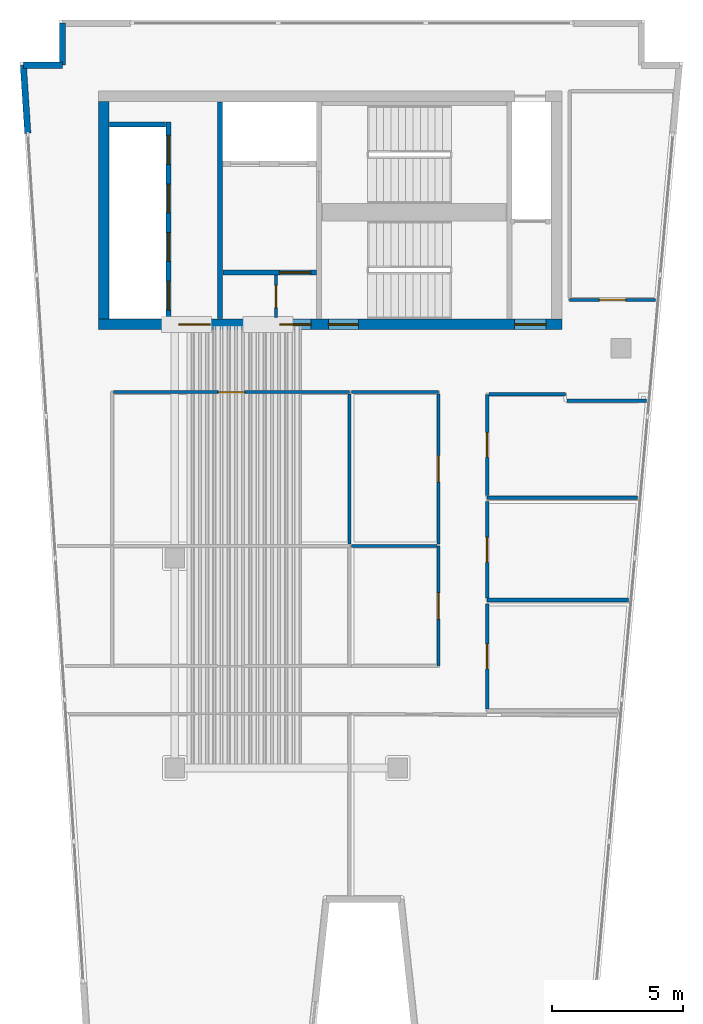
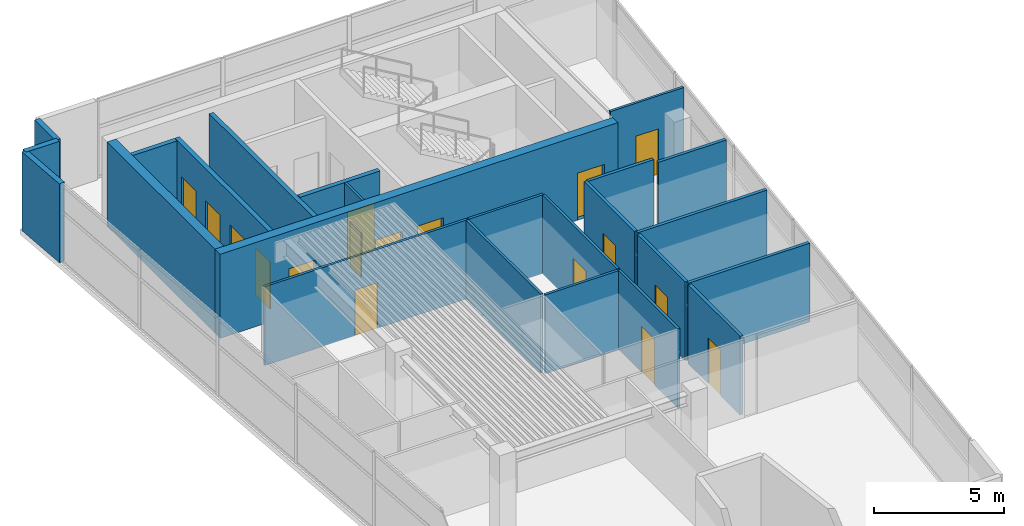
# One storey, part 4 of 7: 24 walls, 17 doors, 17 openings.
"""IFC4 building model written with IfcOpenShell, lengths in metres."""

from ifc_helpers import new_model, si_unit, direction, frame, frame_2d, origin, place, context, subcontext, project, spatial, rectangle, extrude, material, layer, layer_set, type_object, element, fill, save


model = new_model("IFC4")

# Units and contexts
model_context = context("Model", 3, precision=1e-05, world=origin(), true_north=direction((0.0, 1.0)))
body_context = subcontext(model_context, "Body", "Model", "MODEL_VIEW")
ifc_project = project(units=[si_unit("LENGTHUNIT", "METRE"), si_unit("AREAUNIT", "SQUARE_METRE"), si_unit("VOLUMEUNIT", "CUBIC_METRE"), si_unit("PLANEANGLEUNIT", "RADIAN"), si_unit("MASSUNIT", "GRAM", prefix="KILO")], contexts=[model_context])

# Site, building, storey
site_placement = place(None, origin())
site = spatial("IfcSite", under=ifc_project, at=site_placement, CompositionType="ELEMENT")
building_placement = place(site_placement, origin())
building = spatial("IfcBuilding", under=site, at=building_placement, Name="Caeloran Harvest Quay", CompositionType="ELEMENT")
storey_placement = place(building_placement, frame((0.0, 0.0, 312.0)))
storey = spatial("IfcBuildingStorey", under=building, at=storey_placement, Name="L75", CompositionType="ELEMENT", Elevation=312.0)

# Walls
ifc_material_1 = material(Name="Precast concrete C50/60", Category="concrete")
ifc_layer_1 = layer(ifc_material_1, 0.239990234375, Name="Precast concrete C50/60")
ifc_layer_set_1 = layer_set([ifc_layer_1], Name="Precast concrete C50/60")
wall_type_1 = type_object("IfcWallType", Name="ENV-WALL-EW-240", PredefinedType="STANDARD", material=ifc_layer_set_1)
wall_1_placement = place(storey_placement, frame((2.902099609375, 39.185546875, 0.0), z_axis=(0.0, 0.0, 1.0), x_axis=(-0.065166541347, 0.997874401861, 0.0)))
element("IfcWall", 1, at=wall_1_placement, inside=storey, type_object=wall_type_1, Name="L75 Exterior Facade Corner Pier Wall 3B", PredefinedType="STANDARD", context=body_context, shape_type="SweptSolid", body=[
    extrude(rectangle(XDim=2.60009765625, YDim=0.239990234375, at=frame_2d((1.300048828125, 0.0))), origin(), (0.0, 0.0, 1.0), 3.699951171875),
])
wall_2_placement = place(storey_placement, frame((2.732666015625, 41.780029296875, 0.0), z_axis=(0.0, 0.0, 1.0), x_axis=(1.0, 0.0, 0.0)))
element("IfcWall", 2, at=wall_2_placement, inside=storey, type_object=wall_type_1, Name="L75 Exterior Precast Concrete Facade Wall 4", PredefinedType="STANDARD", context=body_context, shape_type="SweptSolid", body=[
    extrude(rectangle(XDim=1.4873046875, YDim=0.239990234375, at=frame_2d((0.74365234375, 0.0))), origin(), (0.0, 0.0, 1.0), 3.699951171875),
])
wall_3_placement = place(storey_placement, frame((4.219970703125, 41.780029296875, 0.0), z_axis=(0.0, 0.0, 1.0), x_axis=(0.0, 1.0, 0.0)))
element("IfcWall", 3, at=wall_3_placement, inside=storey, type_object=wall_type_1, Name="L75 Exterior Precast Concrete Facade Wall 5", PredefinedType="STANDARD", context=body_context, shape_type="SweptSolid", body=[
    extrude(rectangle(XDim=1.599853515625, YDim=0.239990234375, at=frame_2d((0.7998046875, 0.0))), origin(), (0.0, 0.0, 1.0), 3.699951171875),
])

# Wall, opening, door
ifc_material_2 = material(Name="Fire-Resisting Gypsum Core Riser Partition", Category="gypsum")
ifc_layer_2 = layer(ifc_material_2, 0.10009765625, Name="Fire-Resisting Gypsum Core Riser Partition")
ifc_layer_set_2 = layer_set([ifc_layer_2], Name="Fire-Resisting Gypsum Core Riser Partition")
wall_type_2 = type_object("IfcWallType", Name="INT-WALL-PW-100", PredefinedType="PARTITIONING", material=ifc_layer_set_2)
wall_4_placement = place(storey_placement, frame((12.360107421875, 32.159912109375, 0.0), z_axis=(0.0, 0.0, 1.0), x_axis=(0.0, 1.0, 0.0)))
wall_4 = element("IfcWall", 4, at=wall_4_placement, inside=storey, type_object=wall_type_2, Name="L75 Core Store Partition Wall", PredefinedType="PARTITIONING", context=body_context, shape_type="SweptSolid", body=[
    extrude(rectangle(XDim=1.6201171875, YDim=0.10009765625, at=frame_2d((0.81005859375, 0.0))), origin(), (0.0, 0.0, 1.0), 3.699951171875),
])
opening_1_placement = place(wall_4_placement, frame((0.3798828125, 0.0, 0.0)))
opening_1 = element("IfcOpeningElement", 5, at=opening_1_placement, cuts=wall_4, Name="Opening SV-01", PredefinedType="OPENING", context=body_context, shape_type="SweptSolid", body=[
    extrude(rectangle(XDim=0.85009765625, YDim=2.10009765625, at=frame_2d((0.425048828125, 1.050048828125))), frame((0.0, 0.06005859375, 0.0), z_axis=(0.0, -1.0, 0.0), x_axis=(1.0, 0.0, 0.0)), (0.0, 0.0, 1.0), 0.1201171875),
])
ifc_material_3 = material(Name="Galvanized Painted Steel", Category="steel")
door_type_1 = type_object("IfcDoorType", Name="INTDOOR-SV-01", OperationType="NOTDEFINED", PredefinedType="DOOR", material=ifc_material_3)
door_1_placement = place(opening_1_placement, origin())
door_1 = element("IfcDoor", 6, at=door_1_placement, inside=storey, type_object=door_type_1, Name="L75 Core Service Room Access Door", OperationType="SINGLE_SWING_RIGHT", OverallHeight=2.10009765625, OverallWidth=0.85009765625, PredefinedType="DOOR", context=body_context, shape_type="SweptSolid", body=[
    extrude(rectangle(XDim=0.85009765625, YDim=2.10009765625, at=frame_2d((0.425048828125, 1.050048828125))), frame((0.0, 0.02490234375, 0.0), z_axis=(0.0, -1.0, 0.0), x_axis=(1.0, 0.0, 0.0)), (0.0, 0.0, 1.0), 0.050048828125),
])
fill(opening_1, door_1)

ifc_material_4 = material(Name="Single-Stud Acoustic Gypsum Office Partition", Category="gypsum")
ifc_layer_3 = layer(ifc_material_4, 0.112060546875, Name="Single-Stud Acoustic Gypsum Office Partition")
ifc_layer_set_3 = layer_set([ifc_layer_3], Name="Single-Stud Acoustic Gypsum Office Partition")
wall_type_3 = type_object("IfcWallType", Name="INT-WALL-PW-112", PredefinedType="PARTITIONING", material=ifc_layer_set_3)
wall_5_placement = place(storey_placement, frame((26.812744140625, 32.840087890625, 0.0), z_axis=(0.0, 0.0, 1.0), x_axis=(-1.0, 0.0, 0.0)))
wall_5 = element("IfcWall", 7, at=wall_5_placement, inside=storey, type_object=wall_type_3, Name="L75 Bioinformatics and Crop Phenotyping Laboratory Partition Wall", PredefinedType="PARTITIONING", context=body_context, shape_type="SweptSolid", body=[
    extrude(rectangle(XDim=3.272705078125, YDim=0.112060546875, at=frame_2d((1.63623046875, 0.0))), origin(), (0.0, 0.0, 1.0), 3.699951171875),
])
opening_2_placement = place(wall_5_placement, frame((1.136474609375, 0.0, 0.0)))
opening_2 = element("IfcOpeningElement", 8, at=opening_2_placement, cuts=wall_5, Name="Opening ID-01", PredefinedType="OPENING", context=body_context, shape_type="SweptSolid", body=[
    extrude(rectangle(XDim=1.0, YDim=2.14990234375, at=frame_2d((0.5, 1.074951171875))), frame((0.0, 0.06591796875, 0.0), z_axis=(0.0, -1.0, 0.0), x_axis=(1.0, 0.0, 0.0)), (0.0, 0.0, 1.0), 0.132080078125),
])
ifc_material_5 = material(Name="FSC Solid-Core Ash Timber and Acoustic Seal", Category="wood")
door_type_2 = type_object("IfcDoorType", Name="INTDOOR-ID-01", OperationType="NOTDEFINED", PredefinedType="DOOR", material=ifc_material_5)
door_2_placement = place(opening_2_placement, origin())
door_2 = element("IfcDoor", 9, at=door_2_placement, inside=storey, type_object=door_type_2, Name="L75 Bioinformatics and Crop Phenotyping Laboratory Access Door", OperationType="SINGLE_SWING_LEFT", OverallHeight=2.14990234375, OverallWidth=1.0, PredefinedType="DOOR", context=body_context, shape_type="SweptSolid", body=[
    extrude(rectangle(XDim=1.0, YDim=2.14990234375, at=frame_2d((0.5, 1.074951171875))), frame((0.0, 0.02490234375, 0.0), z_axis=(0.0, -1.0, 0.0), x_axis=(1.0, 0.0, 0.0)), (0.0, 0.0, 1.0), 0.050048828125),
])
fill(opening_2, door_2)

wall_6_placement = place(storey_placement, frame((18.550048828125, 23.4599609375, 0.0), z_axis=(0.0, 0.0, 1.0), x_axis=(0.0, -1.0, 0.0)))
wall_6 = element("IfcWall", 10, at=wall_6_placement, inside=storey, type_object=wall_type_3, Name="Pinnacle Tasting Salon Lounge Partition Wall", PredefinedType="PARTITIONING", context=body_context, shape_type="SweptSolid", body=[
    extrude(rectangle(XDim=4.580078125, YDim=0.112060546875, at=frame_2d((2.2900390625, 0.0))), origin(), (0.0, 0.0, 1.0), 3.699951171875),
])
opening_3_placement = place(wall_6_placement, frame((1.7900390625, 0.0, 0.0)))
opening_3 = element("IfcOpeningElement", 11, at=opening_3_placement, cuts=wall_6, Name="Opening ID-01", PredefinedType="OPENING", context=body_context, shape_type="SweptSolid", body=[
    extrude(rectangle(XDim=1.0, YDim=2.14990234375, at=frame_2d((0.5, 1.074951171875))), frame((0.0, 0.06591796875, 0.0), z_axis=(0.0, -1.0, 0.0), x_axis=(1.0, 0.0, 0.0)), (0.0, 0.0, 1.0), 0.132080078125),
])
door_3_placement = place(opening_3_placement, origin())
door_3 = element("IfcDoor", 12, at=door_3_placement, inside=storey, type_object=door_type_2, Name="Pinnacle Tasting Salon Lounge Access Door", OperationType="SINGLE_SWING_RIGHT", OverallHeight=2.14990234375, OverallWidth=1.0, PredefinedType="DOOR", context=body_context, shape_type="SweptSolid", body=[
    extrude(rectangle(XDim=1.0, YDim=2.14990234375, at=frame_2d((0.5, 1.074951171875))), frame((0.0, 0.02490234375, 0.0), z_axis=(0.0, -1.0, 0.0), x_axis=(1.0, 0.0, 0.0)), (0.0, 0.0, 1.0), 0.050048828125),
])
fill(opening_3, door_3)

# Wall
wall_7_placement = place(storey_placement, frame((15.239990234375, 23.4599609375, 0.0), z_axis=(0.0, 0.0, 1.0), x_axis=(1.0, 0.0, 0.0)))
element("IfcWall", 13, at=wall_7_placement, inside=storey, type_object=wall_type_3, Name="Pinnacle Tasting Salon Lounge Partition Wall", PredefinedType="PARTITIONING", context=body_context, shape_type="SweptSolid", body=[
    extrude(rectangle(XDim=3.2490234375, YDim=0.112060546875, at=frame_2d((1.62451171875, 0.0))), origin(), (0.0, 0.0, 1.0), 3.699951171875),
])

# Wall, opening, door
wall_8_placement = place(storey_placement, frame((6.1708984375, 29.320068359375, 0.0), z_axis=(0.0, 0.0, 1.0), x_axis=(1.0, 0.0, 0.0)))
wall_8 = element("IfcWall", 14, at=wall_8_placement, inside=storey, type_object=wall_type_3, Name="Artisanal Tea Kitchen Partition Wall", PredefinedType="PARTITIONING", context=body_context, shape_type="SweptSolid", body=[
    extrude(rectangle(XDim=8.989013671875, YDim=0.112060546875, at=frame_2d((4.49462890625, 0.0))), origin(), (0.0, 0.0, 1.0), 3.699951171875),
])
opening_4_placement = place(wall_8_placement, frame((3.994384765625, 0.0, 0.0)))
opening_4 = element("IfcOpeningElement", 15, at=opening_4_placement, cuts=wall_8, Name="Opening ID-01", PredefinedType="OPENING", context=body_context, shape_type="SweptSolid", body=[
    extrude(rectangle(XDim=1.0, YDim=2.14990234375, at=frame_2d((0.5, 1.074951171875))), frame((0.0, 0.06591796875, 0.0), z_axis=(0.0, -1.0, 0.0), x_axis=(1.0, 0.0, 0.0)), (0.0, 0.0, 1.0), 0.132080078125),
])
door_4_placement = place(opening_4_placement, origin())
door_4 = element("IfcDoor", 16, at=door_4_placement, inside=storey, type_object=door_type_2, Name="Artisanal Tea Kitchen Access Door", OperationType="SINGLE_SWING_LEFT", OverallHeight=2.14990234375, OverallWidth=1.0, PredefinedType="DOOR", context=body_context, shape_type="SweptSolid", body=[
    extrude(rectangle(XDim=1.0, YDim=2.14990234375, at=frame_2d((0.5, 1.074951171875))), frame((0.0, 0.02490234375, 0.0), z_axis=(0.0, -1.0, 0.0), x_axis=(1.0, 0.0, 0.0)), (0.0, 0.0, 1.0), 0.050048828125),
])
fill(opening_4, door_4)

# Walls
wall_9_placement = place(storey_placement, frame((15.159912109375, 29.259033203125, 0.0), z_axis=(0.0, 0.0, 1.0), x_axis=(0.0, -1.0, 0.0)))
element("IfcWall", 17, at=wall_9_placement, inside=storey, type_object=wall_type_3, Name="Artisanal Tea Kitchen Partition Wall", PredefinedType="PARTITIONING", context=body_context, shape_type="SweptSolid", body=[
    extrude(rectangle(XDim=5.718994140625, YDim=0.112060546875, at=frame_2d((2.859375, 0.0))), origin(), (0.0, 0.0, 1.0), 3.699951171875),
])
wall_10_placement = place(storey_placement, frame((15.239990234375, 29.320068359375, 0.0), z_axis=(0.0, 0.0, 1.0), x_axis=(1.0, 0.0, 0.0)))
element("IfcWall", 18, at=wall_10_placement, inside=storey, type_object=wall_type_3, Name="Curator Archive Laboratory Partition Wall", PredefinedType="PARTITIONING", context=body_context, shape_type="SweptSolid", body=[
    extrude(rectangle(XDim=3.31005859375, YDim=0.112060546875, at=frame_2d((1.655029296875, 0.0))), origin(), (0.0, 0.0, 1.0), 3.699951171875),
])

# Wall, opening, door
wall_11_placement = place(storey_placement, frame((18.550048828125, 29.259033203125, 0.0), z_axis=(0.0, 0.0, 1.0), x_axis=(0.0, -1.0, 0.0)))
wall_11 = element("IfcWall", 19, at=wall_11_placement, inside=storey, type_object=wall_type_3, Name="Curator Archive Laboratory Partition Wall", PredefinedType="PARTITIONING", context=body_context, shape_type="SweptSolid", body=[
    extrude(rectangle(XDim=5.718994140625, YDim=0.112060546875, at=frame_2d((2.859375, 0.0))), origin(), (0.0, 0.0, 1.0), 3.699951171875),
])
opening_5_placement = place(wall_11_placement, frame((2.359619140625, 0.0, 0.0)))
opening_5 = element("IfcOpeningElement", 20, at=opening_5_placement, cuts=wall_11, Name="Opening ID-01", PredefinedType="OPENING", context=body_context, shape_type="SweptSolid", body=[
    extrude(rectangle(XDim=1.0, YDim=2.14990234375, at=frame_2d((0.5, 1.074951171875))), frame((0.0, 0.06591796875, 0.0), z_axis=(0.0, -1.0, 0.0), x_axis=(1.0, 0.0, 0.0)), (0.0, 0.0, 1.0), 0.132080078125),
])
door_5_placement = place(opening_5_placement, origin())
door_5 = element("IfcDoor", 21, at=door_5_placement, inside=storey, type_object=door_type_2, Name="Curator Archive Laboratory Access Door", OperationType="SINGLE_SWING_RIGHT", OverallHeight=2.14990234375, OverallWidth=1.0, PredefinedType="DOOR", context=body_context, shape_type="SweptSolid", body=[
    extrude(rectangle(XDim=1.0, YDim=2.14990234375, at=frame_2d((0.5, 1.074951171875))), frame((0.0, 0.02490234375, 0.0), z_axis=(0.0, -1.0, 0.0), x_axis=(1.0, 0.0, 0.0)), (0.0, 0.0, 1.0), 0.050048828125),
])
fill(opening_5, door_5)

# Walls
ifc_material_6 = material(Name="Moisture-Resistant Cement-Board Sanitary Partition", Category="gypsum")
ifc_layer_4 = layer(ifc_material_6, 0.139892578125, Name="Moisture-Resistant Cement-Board Sanitary Partition")
ifc_layer_set_4 = layer_set([ifc_layer_4], Name="Moisture-Resistant Cement-Board Sanitary Partition")
wall_type_4 = type_object("IfcWallType", Name="INT-WALL-PW-140", PredefinedType="PARTITIONING", material=ifc_layer_set_4)
wall_12_placement = place(storey_placement, frame((23.449951171875, 28.989990234375, 0.0), z_axis=(0.0, 0.0, 1.0), x_axis=(1.0, 0.0, 0.0)))
element("IfcWall", 22, at=wall_12_placement, inside=storey, type_object=wall_type_4, Name="L75 Male Washroom WC Partition Wall", PredefinedType="PARTITIONING", context=body_context, shape_type="SweptSolid", body=[
    extrude(rectangle(XDim=3.015625, YDim=0.139892578125, at=frame_2d((1.5078125, 0.0))), origin(), (0.0, 0.0, 1.0), 3.699951171875),
])
wall_13_placement = place(storey_placement, frame((26.1328125, 25.300048828125, 0.0), z_axis=(0.0, 0.0, 1.0), x_axis=(-1.0, 0.0, 0.0)))
element("IfcWall", 23, at=wall_13_placement, inside=storey, type_object=wall_type_4, Name="L75 Male Washroom WC Partition Wall", PredefinedType="PARTITIONING", context=body_context, shape_type="SweptSolid", body=[
    extrude(rectangle(XDim=5.73291015625, YDim=0.139892578125, at=frame_2d((2.866455078125, 0.0))), origin(), (0.0, 0.0, 1.0), 3.699951171875),
])

# Wall, opening, door
wall_14_placement = place(storey_placement, frame((20.39990234375, 25.375, 0.0), z_axis=(0.0, 0.0, 1.0), x_axis=(0.0, 1.0, 0.0)))
wall_14 = element("IfcWall", 24, at=wall_14_placement, inside=storey, type_object=wall_type_4, Name="L75 Male Washroom WC Partition Wall", PredefinedType="PARTITIONING", context=body_context, shape_type="SweptSolid", body=[
    extrude(rectangle(XDim=3.864990234375, YDim=0.139892578125, at=frame_2d((1.9326171875, 0.0))), origin(), (0.0, 0.0, 1.0), 3.699951171875),
])
opening_6_placement = place(wall_14_placement, frame((1.45751953125, 0.0, 0.0)))
opening_6 = element("IfcOpeningElement", 25, at=opening_6_placement, cuts=wall_14, Name="Opening WC-01", PredefinedType="OPENING", context=body_context, shape_type="SweptSolid", body=[
    extrude(rectangle(XDim=0.949951171875, YDim=2.14990234375, at=frame_2d((0.47509765625, 1.074951171875))), frame((0.0, 0.080078125, 0.0), z_axis=(0.0, -1.0, 0.0), x_axis=(1.0, 0.0, 0.0)), (0.0, 0.0, 1.0), 0.159912109375),
])
ifc_material_7 = material(Name="High-Pressure Laminate Moisture-Resistant Timber", Category="wood")
door_type_3 = type_object("IfcDoorType", Name="INTDOOR-WC-01", OperationType="NOTDEFINED", PredefinedType="DOOR", material=ifc_material_7)
door_6_placement = place(opening_6_placement, origin())
door_6 = element("IfcDoor", 26, at=door_6_placement, inside=storey, type_object=door_type_3, Name="L75 Male Washroom WC Access Door", OperationType="SINGLE_SWING_RIGHT", OverallHeight=2.14990234375, OverallWidth=0.949951171875, PredefinedType="DOOR", context=body_context, shape_type="SweptSolid", body=[
    extrude(rectangle(XDim=0.949951171875, YDim=2.14990234375, at=frame_2d((0.47509765625, 1.074951171875))), frame((0.0, 0.02490234375, 0.0), z_axis=(0.0, -1.0, 0.0), x_axis=(1.0, 0.0, 0.0)), (0.0, 0.0, 1.0), 0.050048828125),
])
fill(opening_6, door_6)

# Walls
wall_15_placement = place(storey_placement, frame((20.47509765625, 29.239990234375, 0.0), z_axis=(0.0, 0.0, 1.0), x_axis=(1.0, 0.0, 0.0)))
element("IfcWall", 27, at=wall_15_placement, inside=storey, type_object=wall_type_4, Name="L75 Male Washroom WC Partition Wall", PredefinedType="PARTITIONING", context=body_context, shape_type="SweptSolid", body=[
    extrude(rectangle(XDim=2.914794921875, YDim=0.139892578125, at=frame_2d((1.45751953125, 0.0))), origin(), (0.0, 0.0, 1.0), 3.699951171875),
])
wall_16_placement = place(storey_placement, frame((25.781005859375, 21.39990234375, 0.0), z_axis=(0.0, 0.0, 1.0), x_axis=(-1.0, 0.0, 0.0)))
element("IfcWall", 28, at=wall_16_placement, inside=storey, type_object=wall_type_4, Name="L75 Female Washroom WC Partition Wall", PredefinedType="PARTITIONING", context=body_context, shape_type="SweptSolid", body=[
    extrude(rectangle(XDim=5.381103515625, YDim=0.139892578125, at=frame_2d((2.6904296875, 0.0))), origin(), (0.0, 0.0, 1.0), 3.699951171875),
])

# Wall, opening, door
wall_17_placement = place(storey_placement, frame((20.39990234375, 21.47509765625, 0.0), z_axis=(0.0, 0.0, 1.0), x_axis=(0.0, 1.0, 0.0)))
wall_17 = element("IfcWall", 29, at=wall_17_placement, inside=storey, type_object=wall_type_4, Name="L75 Female Washroom WC Partition Wall", PredefinedType="PARTITIONING", context=body_context, shape_type="SweptSolid", body=[
    extrude(rectangle(XDim=3.6748046875, YDim=0.139892578125, at=frame_2d((1.83740234375, 0.0))), origin(), (0.0, 0.0, 1.0), 3.699951171875),
])
opening_7_placement = place(wall_17_placement, frame((1.362548828125, 0.0, 0.0)))
opening_7 = element("IfcOpeningElement", 30, at=opening_7_placement, cuts=wall_17, Name="Opening WC-01", PredefinedType="OPENING", context=body_context, shape_type="SweptSolid", body=[
    extrude(rectangle(XDim=0.949951171875, YDim=2.14990234375, at=frame_2d((0.47509765625, 1.074951171875))), frame((0.0, 0.080078125, 0.0), z_axis=(0.0, -1.0, 0.0), x_axis=(1.0, 0.0, 0.0)), (0.0, 0.0, 1.0), 0.159912109375),
])
door_7_placement = place(opening_7_placement, origin())
door_7 = element("IfcDoor", 31, at=door_7_placement, inside=storey, type_object=door_type_3, Name="L75 Female Washroom WC Access Door", OperationType="SINGLE_SWING_LEFT", OverallHeight=2.14990234375, OverallWidth=0.949951171875, PredefinedType="DOOR", context=body_context, shape_type="SweptSolid", body=[
    extrude(rectangle(XDim=0.949951171875, YDim=2.14990234375, at=frame_2d((0.47509765625, 1.074951171875))), frame((0.0, 0.02490234375, 0.0), z_axis=(0.0, -1.0, 0.0), x_axis=(1.0, 0.0, 0.0)), (0.0, 0.0, 1.0), 0.050048828125),
])
fill(opening_7, door_7)

wall_18_placement = place(storey_placement, frame((20.39990234375, 17.2548828125, 0.0), z_axis=(0.0, 0.0, 1.0), x_axis=(0.0, 1.0, 0.0)))
wall_18 = element("IfcWall", 32, at=wall_18_placement, inside=storey, type_object=wall_type_4, Name="L75 Accessible Unisex Washroom WC Partition Wall", PredefinedType="PARTITIONING", context=body_context, shape_type="SweptSolid", body=[
    extrude(rectangle(XDim=3.9951171875, YDim=0.139892578125, at=frame_2d((1.99755859375, 0.0))), origin(), (0.0, 0.0, 1.0), 3.699951171875),
])
opening_8_placement = place(wall_18_placement, frame((1.5224609375, 0.0, 0.0)))
opening_8 = element("IfcOpeningElement", 33, at=opening_8_placement, cuts=wall_18, Name="Opening WC-01", PredefinedType="OPENING", context=body_context, shape_type="SweptSolid", body=[
    extrude(rectangle(XDim=0.949951171875, YDim=2.14990234375, at=frame_2d((0.47509765625, 1.074951171875))), frame((0.0, 0.080078125, 0.0), z_axis=(0.0, -1.0, 0.0), x_axis=(1.0, 0.0, 0.0)), (0.0, 0.0, 1.0), 0.159912109375),
])
door_8_placement = place(opening_8_placement, origin())
door_8 = element("IfcDoor", 34, at=door_8_placement, inside=storey, type_object=door_type_3, Name="L75 Accessible Unisex Washroom WC Access Door", OperationType="SINGLE_SWING_RIGHT", OverallHeight=2.14990234375, OverallWidth=0.949951171875, PredefinedType="DOOR", context=body_context, shape_type="SweptSolid", body=[
    extrude(rectangle(XDim=0.949951171875, YDim=2.14990234375, at=frame_2d((0.47509765625, 1.074951171875))), frame((0.0, 0.02490234375, 0.0), z_axis=(0.0, -1.0, 0.0), x_axis=(1.0, 0.0, 0.0)), (0.0, 0.0, 1.0), 0.050048828125),
])
fill(opening_8, door_8)

# Wall, openings, doors
ifc_material_8 = material(Name="Concrete C50/60", Category="concrete")
ifc_layer_5 = layer(ifc_material_8, 0.199951171875, Name="Concrete C50/60")
ifc_layer_set_5 = layer_set([ifc_layer_5], Name="Concrete C50/60")
wall_type_5 = type_object("IfcWallType", Name="INT-WALL-SW-200", PredefinedType="PARTITIONING", material=ifc_layer_set_5)
wall_19_placement = place(storey_placement, frame((8.260009765625, 32.1201171875, 0.0), z_axis=(0.0, 0.0, 1.0), x_axis=(0.0, 1.0, 0.0)))
wall_19 = element("IfcWall", 35, at=wall_19_placement, inside=storey, type_object=wall_type_5, Name="L75 Bank 3 Lift Shaft Wall", PredefinedType="PARTITIONING", context=body_context, shape_type="SweptSolid", body=[
    extrude(rectangle(XDim=7.5, YDim=0.199951171875, at=frame_2d((3.75, 0.0))), origin(), (0.0, 0.0, 1.0), 3.699951171875),
])
opening_9_placement = place(wall_19_placement, frame((0.330078125, 0.0, 0.0)))
opening_9 = element("IfcOpeningElement", 36, at=opening_9_placement, cuts=wall_19, Name="Opening LD-01", PredefinedType="OPENING", context=body_context, shape_type="SweptSolid", body=[
    extrude(rectangle(XDim=1.10009765625, YDim=2.199951171875, at=frame_2d((0.550048828125, 1.10009765625))), frame((0.0, 0.10986328125, 0.0), z_axis=(0.0, -1.0, 0.0), x_axis=(1.0, 0.0, 0.0)), (0.0, 0.0, 1.0), 0.219970703125),
])
opening_10_placement = place(wall_19_placement, frame((2.179931640625, 0.0, 0.0)))
opening_10 = element("IfcOpeningElement", 37, at=opening_10_placement, cuts=wall_19, Name="Opening LD-01", PredefinedType="OPENING", context=body_context, shape_type="SweptSolid", body=[
    extrude(rectangle(XDim=1.10009765625, YDim=2.199951171875, at=frame_2d((0.550048828125, 1.10009765625))), frame((0.0, 0.10986328125, 0.0), z_axis=(0.0, -1.0, 0.0), x_axis=(1.0, 0.0, 0.0)), (0.0, 0.0, 1.0), 0.219970703125),
])
opening_11_placement = place(wall_19_placement, frame((4.030029296875, 0.0, 0.0)))
opening_11 = element("IfcOpeningElement", 38, at=opening_11_placement, cuts=wall_19, Name="Opening LD-01", PredefinedType="OPENING", context=body_context, shape_type="SweptSolid", body=[
    extrude(rectangle(XDim=1.10009765625, YDim=2.199951171875, at=frame_2d((0.550048828125, 1.10009765625))), frame((0.0, 0.10986328125, 0.0), z_axis=(0.0, -1.0, 0.0), x_axis=(1.0, 0.0, 0.0)), (0.0, 0.0, 1.0), 0.219970703125),
])
opening_12_placement = place(wall_19_placement, frame((5.8798828125, 0.0, 0.0)))
opening_12 = element("IfcOpeningElement", 39, at=opening_12_placement, cuts=wall_19, Name="Opening LD-01", PredefinedType="OPENING", context=body_context, shape_type="SweptSolid", body=[
    extrude(rectangle(XDim=1.10009765625, YDim=2.199951171875, at=frame_2d((0.550048828125, 1.10009765625))), frame((0.0, 0.10986328125, 0.0), z_axis=(0.0, -1.0, 0.0), x_axis=(1.0, 0.0, 0.0)), (0.0, 0.0, 1.0), 0.219970703125),
])
ifc_material_9 = material(Name="Stainless Steel Grade 316", Category="steel")
door_type_4 = type_object("IfcDoorType", Name="INTDOOR-LD-01", OperationType="NOTDEFINED", PredefinedType="DOOR", material=ifc_material_9)
door_9_placement = place(opening_9_placement, origin())
door_9 = element("IfcDoor", 40, at=door_9_placement, inside=storey, type_object=door_type_4, Name="Lift P3-1 Sliding Landing Door (L75)", OperationType="DOUBLE_DOOR_SLIDING", OverallHeight=2.199951171875, OverallWidth=1.10009765625, PredefinedType="DOOR", context=body_context, shape_type="SweptSolid", body=[
    extrude(rectangle(XDim=1.10009765625, YDim=2.199951171875, at=frame_2d((0.550048828125, 1.10009765625))), frame((0.0, 0.02490234375, 0.0), z_axis=(0.0, -1.0, 0.0), x_axis=(1.0, 0.0, 0.0)), (0.0, 0.0, 1.0), 0.050048828125),
])
fill(opening_9, door_9)
door_10_placement = place(opening_10_placement, origin())
door_10 = element("IfcDoor", 41, at=door_10_placement, inside=storey, type_object=door_type_4, Name="Lift P3-2 Sliding Landing Door (L75)", OperationType="DOUBLE_DOOR_SLIDING", OverallHeight=2.199951171875, OverallWidth=1.10009765625, PredefinedType="DOOR", context=body_context, shape_type="SweptSolid", body=[
    extrude(rectangle(XDim=1.10009765625, YDim=2.199951171875, at=frame_2d((0.550048828125, 1.10009765625))), frame((0.0, 0.02490234375, 0.0), z_axis=(0.0, -1.0, 0.0), x_axis=(1.0, 0.0, 0.0)), (0.0, 0.0, 1.0), 0.050048828125),
])
fill(opening_10, door_10)
door_11_placement = place(opening_11_placement, origin())
door_11 = element("IfcDoor", 42, at=door_11_placement, inside=storey, type_object=door_type_4, Name="Lift P3-3 Sliding Landing Door (L75)", OperationType="DOUBLE_DOOR_SLIDING", OverallHeight=2.199951171875, OverallWidth=1.10009765625, PredefinedType="DOOR", context=body_context, shape_type="SweptSolid", body=[
    extrude(rectangle(XDim=1.10009765625, YDim=2.199951171875, at=frame_2d((0.550048828125, 1.10009765625))), frame((0.0, 0.02490234375, 0.0), z_axis=(0.0, -1.0, 0.0), x_axis=(1.0, 0.0, 0.0)), (0.0, 0.0, 1.0), 0.050048828125),
])
fill(opening_11, door_11)
door_12_placement = place(opening_12_placement, origin())
door_12 = element("IfcDoor", 43, at=door_12_placement, inside=storey, type_object=door_type_4, Name="Lift P3-4 Sliding Landing Door (L75)", OperationType="DOUBLE_DOOR_SLIDING", OverallHeight=2.199951171875, OverallWidth=1.10009765625, PredefinedType="DOOR", context=body_context, shape_type="SweptSolid", body=[
    extrude(rectangle(XDim=1.10009765625, YDim=2.199951171875, at=frame_2d((0.550048828125, 1.10009765625))), frame((0.0, 0.02490234375, 0.0), z_axis=(0.0, -1.0, 0.0), x_axis=(1.0, 0.0, 0.0)), (0.0, 0.0, 1.0), 0.050048828125),
])
fill(opening_12, door_12)

# Walls
wall_20_placement = place(storey_placement, frame((6.02001953125, 39.52001953125, 0.0), z_axis=(0.0, 0.0, 1.0), x_axis=(1.0, 0.0, 0.0)))
element("IfcWall", 44, at=wall_20_placement, inside=storey, type_object=wall_type_5, Name="L75 Bank 3 Lift Shaft North End Wall", PredefinedType="PARTITIONING", context=body_context, shape_type="SweptSolid", body=[
    extrude(rectangle(XDim=2.119873046875, YDim=0.199951171875, at=frame_2d((1.06005859375, 0.0))), origin(), (0.0, 0.0, 1.0), 3.699951171875),
])
wall_21_placement = place(storey_placement, frame((10.219970703125, 32.1201171875, 0.0), z_axis=(0.0, 0.0, 1.0), x_axis=(0.0, 1.0, 0.0)))
element("IfcWall", 45, at=wall_21_placement, inside=storey, type_object=wall_type_5, Name="L75 Core Lobby Compartment Wall", PredefinedType="PARTITIONING", context=body_context, shape_type="SweptSolid", body=[
    extrude(rectangle(XDim=8.259765625, YDim=0.199951171875, at=frame_2d((4.1298828125, 0.0))), origin(), (0.0, 0.0, 1.0), 3.699951171875),
])

# Wall, opening, door
wall_22_placement = place(storey_placement, frame((10.340087890625, 33.8798828125, 0.0), z_axis=(0.0, 0.0, 1.0), x_axis=(1.0, 0.0, 0.0)))
wall_22 = element("IfcWall", 46, at=wall_22_placement, inside=storey, type_object=wall_type_5, Name="L75 Firefighting Lift Lobby Enclosure Wall", PredefinedType="PARTITIONING", context=body_context, shape_type="SweptSolid", body=[
    extrude(rectangle(XDim=3.559814453125, YDim=0.199951171875, at=frame_2d((1.77978515625, 0.0))), origin(), (0.0, 0.0, 1.0), 3.699951171875),
])
opening_13_placement = place(wall_22_placement, frame((2.14990234375, 0.0, 0.0)))
opening_13 = element("IfcOpeningElement", 47, at=opening_13_placement, cuts=wall_22, Name="Opening FD-01", PredefinedType="OPENING", context=body_context, shape_type="SweptSolid", body=[
    extrude(rectangle(XDim=1.199951171875, YDim=2.199951171875, at=frame_2d((0.60009765625, 1.10009765625))), frame((0.0, 0.10986328125, 0.0), z_axis=(0.0, -1.0, 0.0), x_axis=(1.0, 0.0, 0.0)), (0.0, 0.0, 1.0), 0.219970703125),
])
ifc_material_10 = material(Name="Steel", Category="steel")
door_type_5 = type_object("IfcDoorType", Name="INTDOOR-FD-01", OperationType="NOTDEFINED", PredefinedType="DOOR", material=ifc_material_10)
door_13_placement = place(opening_13_placement, origin())
door_13 = element("IfcDoor", 48, at=door_13_placement, inside=storey, type_object=door_type_5, Name="L75 Firefighting Lift Lobby Smoke-Seal Fire Door", OperationType="SINGLE_SWING_RIGHT", OverallHeight=2.199951171875, OverallWidth=1.199951171875, PredefinedType="DOOR", context=body_context, shape_type="SweptSolid", body=[
    extrude(rectangle(XDim=1.199951171875, YDim=2.199951171875, at=frame_2d((0.60009765625, 1.10009765625))), frame((0.0, 0.02490234375, 0.0), z_axis=(0.0, -1.0, 0.0), x_axis=(1.0, 0.0, 0.0)), (0.0, 0.0, 1.0), 0.050048828125),
])
fill(opening_13, door_13)

# Wall, openings, doors
ifc_material_11 = material(Name="Concrete C60/75", Category="concrete")
ifc_layer_6 = layer(ifc_material_11, 0.39990234375, Name="Concrete C60/75")
ifc_layer_set_6 = layer_set([ifc_layer_6], Name="Concrete C60/75")
wall_type_6 = type_object("IfcWallType", Name="STR-WALL-CW-400", PredefinedType="SHEAR", material=ifc_layer_set_6)
wall_23_placement = place(storey_placement, frame((5.60009765625, 31.89990234375, 0.0), z_axis=(0.0, 0.0, 1.0), x_axis=(1.0, 0.0, 0.0)))
wall_23 = element("IfcWall", 49, at=wall_23_placement, inside=storey, type_object=wall_type_6, Name="L75 Rear Core Shear Wall S", PredefinedType="SHEAR", context=body_context, shape_type="SweptSolid", body=[
    extrude(rectangle(XDim=17.64990234375, YDim=0.39990234375, at=frame_2d((8.824951171875, 0.0))), origin(), (0.0, 0.0, 1.0), 3.949951171875),
])
opening_14_placement = place(wall_23_placement, frame((3.050048828125, 0.0, 0.0)))
opening_14 = element("IfcOpeningElement", 50, at=opening_14_placement, cuts=wall_23, Name="Opening FD-01", PredefinedType="OPENING", context=body_context, shape_type="SweptSolid", body=[
    extrude(rectangle(XDim=1.199951171875, YDim=2.199951171875, at=frame_2d((0.60009765625, 1.10009765625))), frame((0.0, 0.2099609375, 0.0), z_axis=(0.0, -1.0, 0.0), x_axis=(1.0, 0.0, 0.0)), (0.0, 0.0, 1.0), 0.419921875),
])
opening_15_placement = place(wall_23_placement, frame((6.89990234375, 0.0, 0.0)))
opening_15 = element("IfcOpeningElement", 51, at=opening_15_placement, cuts=wall_23, Name="Opening FD-01", PredefinedType="OPENING", context=body_context, shape_type="SweptSolid", body=[
    extrude(rectangle(XDim=1.199951171875, YDim=2.199951171875, at=frame_2d((0.60009765625, 1.10009765625))), frame((0.0, 0.2099609375, 0.0), z_axis=(0.0, -1.0, 0.0), x_axis=(1.0, 0.0, 0.0)), (0.0, 0.0, 1.0), 0.419921875),
])
opening_16_placement = place(wall_23_placement, frame((8.75, 0.0, 0.0)))
opening_16 = element("IfcOpeningElement", 52, at=opening_16_placement, cuts=wall_23, Name="Opening SD-01", PredefinedType="OPENING", context=body_context, shape_type="SweptSolid", body=[
    extrude(rectangle(XDim=1.14990234375, YDim=2.199951171875, at=frame_2d((0.574951171875, 1.10009765625))), frame((0.0, 0.2099609375, 0.0), z_axis=(0.0, -1.0, 0.0), x_axis=(1.0, 0.0, 0.0)), (0.0, 0.0, 1.0), 0.419921875),
])
opening_17_placement = place(wall_23_placement, frame((15.85009765625, 0.0, 0.0)))
opening_17 = element("IfcOpeningElement", 53, at=opening_17_placement, cuts=wall_23, Name="Opening FD-01", PredefinedType="OPENING", context=body_context, shape_type="SweptSolid", body=[
    extrude(rectangle(XDim=1.199951171875, YDim=2.199951171875, at=frame_2d((0.60009765625, 1.10009765625))), frame((0.0, 0.2099609375, 0.0), z_axis=(0.0, -1.0, 0.0), x_axis=(1.0, 0.0, 0.0)), (0.0, 0.0, 1.0), 0.419921875),
])
door_14_placement = place(opening_14_placement, origin())
door_14 = element("IfcDoor", 54, at=door_14_placement, inside=storey, type_object=door_type_5, Name="L75 High-Rise Lift Lobby Fire Door", OperationType="SINGLE_SWING_RIGHT", OverallHeight=2.199951171875, OverallWidth=1.199951171875, PredefinedType="DOOR", context=body_context, shape_type="SweptSolid", body=[
    extrude(rectangle(XDim=1.199951171875, YDim=2.199951171875, at=frame_2d((0.60009765625, 1.10009765625))), frame((0.0, 0.02490234375, 0.0), z_axis=(0.0, -1.0, 0.0), x_axis=(1.0, 0.0, 0.0)), (0.0, 0.0, 1.0), 0.050048828125),
])
fill(opening_14, door_14)
door_15_placement = place(opening_15_placement, origin())
door_15 = element("IfcDoor", 55, at=door_15_placement, inside=storey, type_object=door_type_5, Name="L75 Firefighting Lobby Vestibule Fire Door", OperationType="SINGLE_SWING_LEFT", OverallHeight=2.199951171875, OverallWidth=1.199951171875, PredefinedType="DOOR", context=body_context, shape_type="SweptSolid", body=[
    extrude(rectangle(XDim=1.199951171875, YDim=2.199951171875, at=frame_2d((0.60009765625, 1.10009765625))), frame((0.0, 0.02490234375, 0.0), z_axis=(0.0, -1.0, 0.0), x_axis=(1.0, 0.0, 0.0)), (0.0, 0.0, 1.0), 0.050048828125),
])
fill(opening_15, door_15)
door_16_placement = place(opening_17_placement, origin())
door_16 = element("IfcDoor", 56, at=door_16_placement, inside=storey, type_object=door_type_5, Name="L75 Service Lift Lobby Fire Door", OperationType="SINGLE_SWING_LEFT", OverallHeight=2.199951171875, OverallWidth=1.199951171875, PredefinedType="DOOR", context=body_context, shape_type="SweptSolid", body=[
    extrude(rectangle(XDim=1.199951171875, YDim=2.199951171875, at=frame_2d((0.60009765625, 1.10009765625))), frame((0.0, 0.02490234375, 0.0), z_axis=(0.0, -1.0, 0.0), x_axis=(1.0, 0.0, 0.0)), (0.0, 0.0, 1.0), 0.050048828125),
])
fill(opening_17, door_16)
door_type_6 = type_object("IfcDoorType", Name="INTDOOR-SD-01", OperationType="NOTDEFINED", PredefinedType="DOOR", material=ifc_material_10)
door_17_placement = place(opening_16_placement, origin())
door_17 = element("IfcDoor", 57, at=door_17_placement, inside=storey, type_object=door_type_6, Name="L75 Protected Stair ST-C2 Exit Door", OperationType="SINGLE_SWING_RIGHT", OverallHeight=2.199951171875, OverallWidth=1.14990234375, PredefinedType="DOOR", context=body_context, shape_type="SweptSolid", body=[
    extrude(rectangle(XDim=1.14990234375, YDim=2.199951171875, at=frame_2d((0.574951171875, 1.10009765625))), frame((0.0, 0.02490234375, 0.0), z_axis=(0.0, -1.0, 0.0), x_axis=(1.0, 0.0, 0.0)), (0.0, 0.0, 1.0), 0.050048828125),
])
fill(opening_16, door_17)

# Wall
wall_24_placement = place(storey_placement, frame((5.800048828125, 32.10009765625, 0.0), z_axis=(0.0, 0.0, 1.0), x_axis=(0.0, 1.0, 0.0)))
element("IfcWall", 58, at=wall_24_placement, inside=storey, type_object=wall_type_6, Name="L75 Rear Core Shear Wall W", PredefinedType="SHEAR", context=body_context, shape_type="SweptSolid", body=[
    extrude(rectangle(XDim=8.2998046875, YDim=0.39990234375, at=frame_2d((4.14990234375, 0.0))), origin(), (0.0, 0.0, 1.0), 3.949951171875),
])

save(model, "model.ifc")
